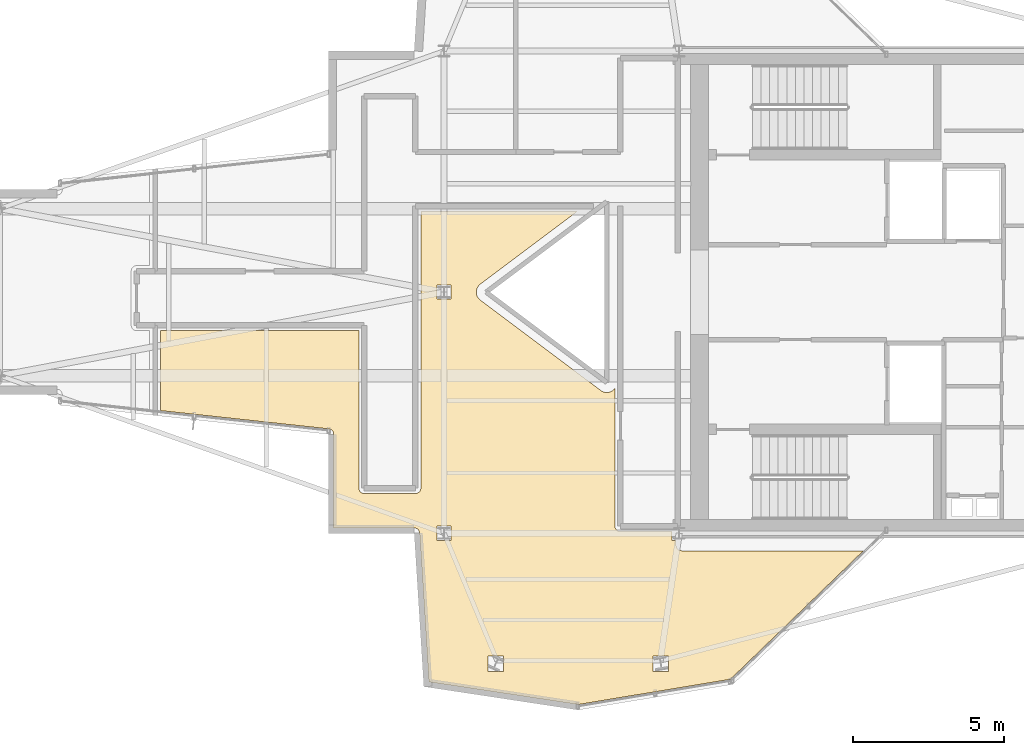
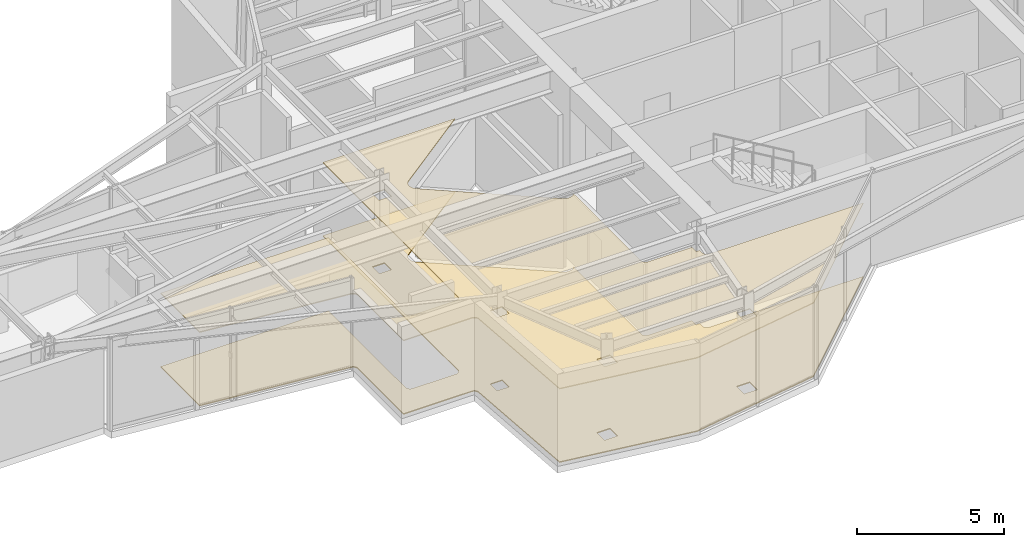
# One storey, part 17 of 18: 2 coverings.
"""IFC4 building model written with IfcOpenShell, lengths in metres."""

import ifcopenshell
import ifcopenshell.guid

model = None  # the IFC model being written
_history = None  # IfcOwnerHistory: only IFC2X3 demands one
_inside = {}  # id of a spatial element -> (the spatial element, [elements in it])
_under = {}  # id of a project, library or spatial element -> (it, [spatial elements below it])
_declared = {}  # id of a project -> (the project, [libraries it declares])
_typed = {}  # id of a type object -> (the type object, [elements of that type])
_made_of = {}  # id of a material, layer set ... -> (it, [elements and type objects made of it])


def new_model(schema):
    """Start an empty IFC model of exactly this schema.

    Asked for "IFC4X3", IfcOpenShell would pick the latest addendum, in which some entities
    have other attributes; the version numbers below select the first issue.
    IFC2X3 requires an IfcOwnerHistory on every rooted entity: one is made here for all.
    """
    global model, _history
    if schema == "IFC4X3":
        model = ifcopenshell.file(schema_version=(4, 3, 0, 0))
    else:
        model = ifcopenshell.file(schema=schema)
    _inside.clear()
    _under.clear()
    _declared.clear()
    _typed.clear()
    _made_of.clear()
    _history = None
    if model.schema == "IFC2X3":
        org = make("IfcOrganization", Name="unknown")
        user = make(
            "IfcPersonAndOrganization",
            ThePerson=make("IfcPerson", FamilyName="unknown"),
            TheOrganization=org,
        )
        app = make(
            "IfcApplication",
            ApplicationDeveloper=org,
            Version="unknown",
            ApplicationFullName="unknown",
            ApplicationIdentifier="unknown",
        )
        _history = make(
            "IfcOwnerHistory",
            OwningUser=user,
            OwningApplication=app,
            ChangeAction="ADDED",
            CreationDate=0,
        )
    return model


def make(cls, **values):
    """One entity of the class cls with the attributes given. An attribute that is None is left unset."""
    return model.create_entity(
        cls, **{name: value for name, value in values.items() if value is not None}
    )


def rooted(cls, **values):
    """An entity with a GlobalId (a new one), such as an element, a storey or a relation."""
    return make(cls, GlobalId=ifcopenshell.guid.new(), OwnerHistory=_history, **values)


def si_unit(unit_type, name, prefix=None):
    """IfcSIUnit, for example si_unit("LENGTHUNIT", "METRE", prefix="MILLI")."""
    return make("IfcSIUnit", UnitType=unit_type, Prefix=prefix, Name=name)


def assignment(units):
    """IfcUnitAssignment: the units of a project."""
    return None if units is None else make("IfcUnitAssignment", Units=units)


def point(xyz):
    """IfcCartesianPoint."""
    return None if xyz is None else make("IfcCartesianPoint", Coordinates=xyz)


def direction(xyz):
    """IfcDirection."""
    return None if xyz is None else make("IfcDirection", DirectionRatios=xyz)


def frame(location, z_axis=None, x_axis=None):
    """IfcAxis2Placement3D, a coordinate frame: its origin and axes. An axis left out is left unset."""
    return make(
        "IfcAxis2Placement3D",
        Location=point(location),
        Axis=direction(z_axis),
        RefDirection=direction(x_axis),
    )


def origin():
    """The frame at (0, 0, 0) with its axes left unset."""
    return frame((0.0, 0.0, 0.0))


def place(relative_to, where):
    """IfcLocalPlacement: puts the frame where relative to a parent placement (None: the world)."""
    return make(
        "IfcLocalPlacement", PlacementRelTo=relative_to, RelativePlacement=where
    )


def context(
    kind, dimensions, precision=None, world=None, true_north=None, identifier=None
):
    """IfcGeometricRepresentationContext, for example the 3D "Model" context."""
    return make(
        "IfcGeometricRepresentationContext",
        ContextIdentifier=identifier,
        ContextType=kind,
        CoordinateSpaceDimension=dimensions,
        Precision=precision,
        WorldCoordinateSystem=world,
        TrueNorth=true_north,
    )


def subcontext(parent, identifier, kind, view, scale=None):
    """IfcGeometricRepresentationSubContext, for example "Body" below "Model"."""
    return make(
        "IfcGeometricRepresentationSubContext",
        ContextIdentifier=identifier,
        ContextType=kind,
        ParentContext=parent,
        TargetScale=scale,
        TargetView=view,
    )


def project(units=None, contexts=None):
    """IfcProject with its units and contexts."""
    return rooted(
        "IfcProject",
        Name="project",
        RepresentationContexts=contexts,
        UnitsInContext=assignment(units),
    )


def spatial(cls, under=None, at=None, **own):
    """A site, building, storey or space (cls), placed at a placement, below another one or the project."""
    s = rooted(cls, ObjectPlacement=at, **own)
    if under is not None:
        _under.setdefault(under.id(), (under, []))[1].append(s)
    return s


def polyline(points):
    """IfcPolyline through the points."""
    return make("IfcPolyline", Points=[point(p) for p in points])


def outline(outer, holes=None, kind="AREA"):
    """IfcArbitraryClosedProfileDef: a profile drawn as a closed curve; with holes, ...WithVoids."""
    if holes is None:
        return make("IfcArbitraryClosedProfileDef", ProfileType=kind, OuterCurve=outer)
    return make(
        "IfcArbitraryProfileDefWithVoids",
        ProfileType=kind,
        OuterCurve=outer,
        InnerCurves=holes,
    )


def extrude(swept, where, along, depth):
    """IfcExtrudedAreaSolid: the profile swept, set in the frame where, extruded along a direction by depth."""
    return make(
        "IfcExtrudedAreaSolid",
        SweptArea=swept,
        Position=where,
        ExtrudedDirection=direction(along),
        Depth=depth,
    )


def shape(context_of_items, identifier, shape_type, items):
    """IfcShapeRepresentation: the items that make up one representation, for example the "Body"."""
    return make(
        "IfcShapeRepresentation",
        ContextOfItems=context_of_items,
        RepresentationIdentifier=identifier,
        RepresentationType=shape_type,
        Items=items,
    )


def material(Name=None, Category=None):
    """IfcMaterial."""
    return make("IfcMaterial", Name=Name, Category=Category)


def layer(
    of_material, thickness, ventilated=None, Name=None, Category=None, Priority=None
):
    """IfcMaterialLayer: one layer of a wall or slab, of a material (None: an air gap)."""
    return make(
        "IfcMaterialLayer",
        Material=of_material,
        LayerThickness=thickness,
        IsVentilated=ventilated,
        Name=Name,
        Category=Category,
        Priority=Priority,
    )


def layer_set(layers, Name=None):
    """IfcMaterialLayerSet."""
    return make("IfcMaterialLayerSet", MaterialLayers=layers, LayerSetName=Name)


def made_of(thing, what):
    """Note that an element or type object is made of a material, layer set ...; save() writes the relation."""
    if what is not None:
        _made_of.setdefault(what.id(), (what, []))[1].append(thing)
    return thing


def type_object(cls, material=None, **own):
    """A type object (cls), such as IfcWallType, which elements share."""
    return made_of(rooted(cls, **own), material)


def element(
    cls,
    number,
    at=None,
    inside=None,
    cuts=None,
    type_object=None,
    material=None,
    context=None,
    identifier="Body",
    shape_type=None,
    held_by="IfcProductDefinitionShape",
    body=None,
    shapes=None,
    **own,
):
    """One element of the class cls, such as IfcWall. Its Tag is "e" and its number.

    at: its placement. inside: the storey or other place that contains it. cuts: it is an
    opening in that element (IfcRelVoidsElement). A single representation is given by context,
    identifier, shape_type and body (its items); several are given by shapes. held_by: the class
    of the entity that holds the representations. save() writes the other relations.
    """
    e = rooted(cls, Tag="e%d" % number, ObjectPlacement=at, **own)
    if body is not None:
        shapes = [shape(context, identifier, shape_type, body)]
    if shapes is not None:
        e.Representation = make(held_by, Representations=shapes)
    if inside is not None:
        _inside.setdefault(inside.id(), (inside, []))[1].append(e)
    if cuts is not None:
        rooted(
            "IfcRelVoidsElement", RelatingBuildingElement=cuts, RelatedOpeningElement=e
        )
    if type_object is not None:
        _typed.setdefault(type_object.id(), (type_object, []))[1].append(e)
    return made_of(e, material)


def aggregate(whole, parts):
    """IfcRelAggregates: a whole, such as a stair, and the parts it consists of."""
    return rooted("IfcRelAggregates", RelatingObject=whole, RelatedObjects=parts)


def save(model, path):
    """Write the relations noted so far, then the file.

    IfcRelAggregates (storeys below a building ...), IfcRelContainedInSpatialStructure (elements
    in a storey), IfcRelDefinesByType, IfcRelAssociatesMaterial and IfcRelDeclares: one each for
    every whole, place, type object, material and project.
    """
    for whole, parts in _under.values():
        aggregate(whole, parts)
    for where, things in _inside.values():
        rooted(
            "IfcRelContainedInSpatialStructure",
            RelatedElements=things,
            RelatingStructure=where,
        )
    for kind, things in _typed.values():
        rooted("IfcRelDefinesByType", RelatedObjects=things, RelatingType=kind)
    for what, things in _made_of.values():
        rooted("IfcRelAssociatesMaterial", RelatedObjects=things, RelatingMaterial=what)
    for by, libraries in _declared.values():
        rooted("IfcRelDeclares", RelatingContext=by, RelatedDefinitions=libraries)
    model.write(path)


model = new_model("IFC4")

# Units and contexts
model_context = context("Model", 3, precision=1e-05, world=origin(), true_north=direction((0.0, 1.0)))
body_context = subcontext(model_context, "Body", "Model", "MODEL_VIEW")
ifc_project = project(units=[si_unit("LENGTHUNIT", "METRE"), si_unit("AREAUNIT", "SQUARE_METRE"), si_unit("VOLUMEUNIT", "CUBIC_METRE"), si_unit("PLANEANGLEUNIT", "RADIAN"), si_unit("MASSUNIT", "GRAM", prefix="KILO")], contexts=[model_context])

# Site, building, storey
site_placement = place(None, origin())
site = spatial("IfcSite", under=ifc_project, at=site_placement, CompositionType="ELEMENT")
building_placement = place(site_placement, origin())
building = spatial("IfcBuilding", under=site, at=building_placement, Name="Veymaron Broadcast Tower", CompositionType="ELEMENT")
storey_placement = place(building_placement, frame((0.0, 0.0, 319.5)))
storey = spatial("IfcBuildingStorey", under=building, at=storey_placement, Name="L75", CompositionType="ELEMENT", Elevation=319.5)

# Coverings
ifc_material_1 = material(Name="Perforated acoustic mineral-fibre ceiling tile", Category="gypsum")
ifc_layer_1 = layer(ifc_material_1, 0.0400390625)
ifc_layer_set_1 = layer_set([ifc_layer_1], Name="Perforated acoustic mineral-fibre ceiling tile")
covering_type_1 = type_object("IfcCoveringType", Name="COV-CEIL-ACT", PredefinedType="CEILING", material=ifc_layer_set_1)
covering_1_placement = place(storey_placement, frame((0.0, 0.0, 3.0400390625)))
element("IfcCovering", 1, at=covering_1_placement, inside=storey, type_object=covering_type_1, Name="L75 suspended acoustic ceiling 1", PredefinedType="CEILING", context=body_context, shape_type="SweptSolid", body=[
    extrude(outline(polyline([(30.244384765625, 16.176513671875), (30.2265625, 16.17919921875), (30.20849609375, 16.179931640625), (27.538330078125, 16.179931640625), (27.538330078125, 19.284423828125), (27.53759765625, 19.302001953125), (27.534912109375, 19.3193359375), (27.53076171875, 19.33642578125), (27.52490234375, 19.352783203125), (27.517333984375, 19.368896484375), (27.508544921875, 19.3837890625), (27.498046875, 19.398193359375), (27.486328125, 19.4111328125), (27.473388671875, 19.423095703125), (27.45947265625, 19.43359375), (27.4443359375, 19.442626953125), (27.4287109375, 19.4501953125), (27.412109375, 19.456298828125), (27.39501953125, 19.460693359375), (27.377685546875, 19.46337890625), (21.7939453125, 20.06884765625), (21.7939453125, 22.719970703125), (28.3701171875, 22.719970703125), (28.3701171875, 17.5), (28.370849609375, 17.482421875), (28.37353515625, 17.46484375), (28.377685546875, 17.44775390625), (28.3837890625, 17.43115234375), (28.391357421875, 17.4150390625), (28.400390625, 17.39990234375), (28.410888671875, 17.3857421875), (28.422607421875, 17.372802734375), (28.435791015625, 17.36083984375), (28.449951171875, 17.350341796875), (28.465087890625, 17.34130859375), (28.481201171875, 17.333740234375), (28.497802734375, 17.327880859375), (28.514892578125, 17.323486328125), (28.532470703125, 17.32080078125), (28.550048828125, 17.320068359375), (30.25, 17.320068359375), (30.267578125, 17.32080078125), (30.28515625, 17.323486328125), (30.30224609375, 17.327880859375), (30.31884765625, 17.333740234375), (30.3349609375, 17.34130859375), (30.35009765625, 17.350341796875), (30.3642578125, 17.36083984375), (30.377197265625, 17.372802734375), (30.38916015625, 17.3857421875), (30.399658203125, 17.39990234375), (30.40869140625, 17.4150390625), (30.416259765625, 17.43115234375), (30.422119140625, 17.44775390625), (30.426513671875, 17.46484375), (30.42919921875, 17.482421875), (30.429931640625, 17.5), (30.429931640625, 26.669921875), (35.610107421875, 26.669921875), (32.402099609375, 24.263916015625), (32.39501953125, 24.258544921875), (32.3837890625, 24.249267578125), (32.370849609375, 24.2373046875), (32.360595703125, 24.22705078125), (32.348876953125, 24.2138671875), (32.339599609375, 24.20263671875), (32.3291015625, 24.1884765625), (32.321044921875, 24.17626953125), (32.31201171875, 24.1611328125), (32.305419921875, 24.148193359375), (32.2978515625, 24.13232421875), (32.292236328125, 24.118896484375), (32.286376953125, 24.102294921875), (32.281982421875, 24.088134765625), (32.27783203125, 24.0712890625), (32.27490234375, 24.056884765625), (32.2724609375, 24.039306640625), (32.27099609375, 24.02490234375), (32.270263671875, 24.00732421875), (32.270263671875, 23.99267578125), (32.27099609375, 23.97509765625), (32.2724609375, 23.960693359375), (32.27490234375, 23.943115234375), (32.27783203125, 23.9287109375), (32.281982421875, 23.911865234375), (32.286376953125, 23.897705078125), (32.292236328125, 23.881103515625), (32.2978515625, 23.86767578125), (32.305419921875, 23.851806640625), (32.31201171875, 23.8388671875), (32.321044921875, 23.82373046875), (32.3291015625, 23.8115234375), (32.339599609375, 23.79736328125), (32.348876953125, 23.7861328125), (32.360595703125, 23.77294921875), (32.370849609375, 23.7626953125), (32.3837890625, 23.750732421875), (32.39501953125, 23.741455078125), (32.402099609375, 23.736083984375), (36.402099609375, 20.736083984375), (36.4091796875, 20.73095703125), (36.4208984375, 20.722900390625), (36.435791015625, 20.7138671875), (36.448486328125, 20.70703125), (36.464111328125, 20.699462890625), (36.477294921875, 20.693603515625), (36.49365234375, 20.687744140625), (36.50732421875, 20.683349609375), (36.524169921875, 20.678955078125), (36.5380859375, 20.67578125), (36.555419921875, 20.673095703125), (36.569580078125, 20.67138671875), (36.5869140625, 20.67041015625), (36.601318359375, 20.670166015625), (36.61865234375, 20.670654296875), (36.633056640625, 20.671875), (36.650390625, 20.673828125), (36.66455078125, 20.676513671875), (36.681396484375, 20.680419921875), (36.6953125, 20.68408203125), (36.711669921875, 20.689697265625), (36.72509765625, 20.69482421875), (36.740966796875, 20.701904296875), (36.75390625, 20.708251953125), (36.76904296875, 20.716796875), (36.78125, 20.724365234375), (36.79541015625, 20.734375), (36.806884765625, 20.7431640625), (36.820068359375, 20.75439453125), (36.830810546875, 20.76416015625), (36.8427734375, 20.776611328125), (36.852294921875, 20.787353515625), (36.863037109375, 20.801025390625), (36.8701171875, 20.810546875), (36.8701171875, 16.235107421875), (36.870849609375, 16.217529296875), (36.87353515625, 16.2001953125), (36.877685546875, 16.182861328125), (36.8837890625, 16.166259765625), (36.891357421875, 16.150390625), (36.900390625, 16.13525390625), (36.910888671875, 16.12109375), (36.922607421875, 16.10791015625), (36.935791015625, 16.09619140625), (36.949951171875, 16.08544921875), (36.965087890625, 16.076416015625), (36.981201171875, 16.06884765625), (36.997802734375, 16.06298828125), (37.014892578125, 16.05859375), (37.032470703125, 16.05615234375), (37.050048828125, 16.05517578125), (38.763427734375, 16.05517578125), (38.763427734375, 15.76611328125), (38.89990234375, 15.76611328125), (38.89990234375, 15.60009765625), (38.90087890625, 15.58251953125), (38.903564453125, 15.56494140625), (38.90771484375, 15.547607421875), (38.913818359375, 15.531005859375), (38.92138671875, 15.51513671875), (38.930419921875, 15.5), (38.94091796875, 15.48583984375), (38.95263671875, 15.47265625), (38.9658203125, 15.4609375), (38.97998046875, 15.4501953125), (38.9951171875, 15.44140625), (39.010986328125, 15.43359375), (39.027587890625, 15.427734375), (39.044921875, 15.423583984375), (39.0625, 15.4208984375), (39.080078125, 15.419921875), (45.11279296875, 15.419921875), (40.70166015625, 11.1572265625), (35.655517578125, 10.3173828125), (30.69775390625, 11.0673828125), (30.38818359375, 16.01123046875), (30.385986328125, 16.029296875), (30.38232421875, 16.046875), (30.376708984375, 16.064208984375), (30.369384765625, 16.080810546875), (30.360595703125, 16.096435546875), (30.35009765625, 16.111083984375), (30.338134765625, 16.124755859375), (30.324951171875, 16.13720703125), (30.310546875, 16.148193359375), (30.295166015625, 16.15771484375), (30.279052734375, 16.16552734375), (30.261962890625, 16.171875), (30.244384765625, 16.176513671875)]), holes=[polyline([(38.64111328125, 11.929931640625), (38.135009765625, 11.929931640625), (38.135009765625, 11.4140625), (38.64111328125, 11.4140625), (38.64111328125, 11.929931640625)]), polyline([(32.66064453125, 11.929931640625), (32.66064453125, 11.4140625), (33.16650390625, 11.4140625), (33.16650390625, 11.929931640625), (32.66064453125, 11.929931640625)]), polyline([(30.96337890625, 16.23388671875), (30.96337890625, 15.76611328125), (31.4365234375, 15.76611328125), (31.4365234375, 16.23388671875), (30.96337890625, 16.23388671875)]), polyline([(31.4365234375, 24.23388671875), (30.96337890625, 24.23388671875), (30.96337890625, 23.76611328125), (31.4365234375, 23.76611328125), (31.4365234375, 24.23388671875)])]), origin(), (0.0, 0.0, 1.0), 0.0400390625),
])
ifc_material_2 = material(Name="galvanized steel raised access floor panel", Category="steel")
ifc_layer_2 = layer(ifc_material_2, 0.0400390625)
ifc_layer_set_2 = layer_set([ifc_layer_2], Name="galvanized steel raised access floor panel")
covering_type_2 = type_object("IfcCoveringType", Name="COV-FLR-RAF", PredefinedType="FLOORING", material=ifc_layer_set_2)
covering_2_placement = place(storey_placement, origin())
element("IfcCovering", 2, at=covering_2_placement, inside=storey, type_object=covering_type_2, Name="L75 finished flooring 1", PredefinedType="FLOORING", context=body_context, shape_type="SweptSolid", body=[
    extrude(outline(polyline([(30.244384765625, 16.176513671875), (30.2265625, 16.17919921875), (30.20849609375, 16.179931640625), (27.538330078125, 16.179931640625), (27.538330078125, 19.284423828125), (27.53759765625, 19.302001953125), (27.534912109375, 19.3193359375), (27.53076171875, 19.33642578125), (27.52490234375, 19.352783203125), (27.517333984375, 19.368896484375), (27.508544921875, 19.3837890625), (27.498046875, 19.398193359375), (27.486328125, 19.4111328125), (27.473388671875, 19.423095703125), (27.45947265625, 19.43359375), (27.4443359375, 19.442626953125), (27.4287109375, 19.4501953125), (27.412109375, 19.456298828125), (27.39501953125, 19.460693359375), (27.377685546875, 19.46337890625), (21.7939453125, 20.06884765625), (21.7939453125, 22.719970703125), (28.3701171875, 22.719970703125), (28.3701171875, 17.5), (28.370849609375, 17.482421875), (28.37353515625, 17.46484375), (28.377685546875, 17.44775390625), (28.3837890625, 17.43115234375), (28.391357421875, 17.4150390625), (28.400390625, 17.39990234375), (28.410888671875, 17.3857421875), (28.422607421875, 17.372802734375), (28.435791015625, 17.36083984375), (28.449951171875, 17.350341796875), (28.465087890625, 17.34130859375), (28.481201171875, 17.333740234375), (28.497802734375, 17.327880859375), (28.514892578125, 17.323486328125), (28.532470703125, 17.32080078125), (28.550048828125, 17.320068359375), (30.25, 17.320068359375), (30.267578125, 17.32080078125), (30.28515625, 17.323486328125), (30.30224609375, 17.327880859375), (30.31884765625, 17.333740234375), (30.3349609375, 17.34130859375), (30.35009765625, 17.350341796875), (30.3642578125, 17.36083984375), (30.377197265625, 17.372802734375), (30.38916015625, 17.3857421875), (30.399658203125, 17.39990234375), (30.40869140625, 17.4150390625), (30.416259765625, 17.43115234375), (30.422119140625, 17.44775390625), (30.426513671875, 17.46484375), (30.42919921875, 17.482421875), (30.429931640625, 17.5), (30.429931640625, 26.669921875), (35.610107421875, 26.669921875), (32.402099609375, 24.263916015625), (32.39501953125, 24.258544921875), (32.3837890625, 24.249267578125), (32.370849609375, 24.2373046875), (32.360595703125, 24.22705078125), (32.348876953125, 24.2138671875), (32.339599609375, 24.20263671875), (32.3291015625, 24.1884765625), (32.321044921875, 24.17626953125), (32.31201171875, 24.1611328125), (32.305419921875, 24.148193359375), (32.2978515625, 24.13232421875), (32.292236328125, 24.118896484375), (32.286376953125, 24.102294921875), (32.281982421875, 24.088134765625), (32.27783203125, 24.0712890625), (32.27490234375, 24.056884765625), (32.2724609375, 24.039306640625), (32.27099609375, 24.02490234375), (32.270263671875, 24.00732421875), (32.270263671875, 23.99267578125), (32.27099609375, 23.97509765625), (32.2724609375, 23.960693359375), (32.27490234375, 23.943115234375), (32.27783203125, 23.9287109375), (32.281982421875, 23.911865234375), (32.286376953125, 23.897705078125), (32.292236328125, 23.881103515625), (32.2978515625, 23.86767578125), (32.305419921875, 23.851806640625), (32.31201171875, 23.8388671875), (32.321044921875, 23.82373046875), (32.3291015625, 23.8115234375), (32.339599609375, 23.79736328125), (32.348876953125, 23.7861328125), (32.360595703125, 23.77294921875), (32.370849609375, 23.7626953125), (32.3837890625, 23.750732421875), (32.39501953125, 23.741455078125), (32.402099609375, 23.736083984375), (36.402099609375, 20.736083984375), (36.4091796875, 20.73095703125), (36.4208984375, 20.722900390625), (36.435791015625, 20.7138671875), (36.448486328125, 20.70703125), (36.464111328125, 20.699462890625), (36.477294921875, 20.693603515625), (36.49365234375, 20.687744140625), (36.50732421875, 20.683349609375), (36.524169921875, 20.678955078125), (36.5380859375, 20.67578125), (36.555419921875, 20.673095703125), (36.569580078125, 20.67138671875), (36.5869140625, 20.67041015625), (36.601318359375, 20.670166015625), (36.61865234375, 20.670654296875), (36.633056640625, 20.671875), (36.650390625, 20.673828125), (36.66455078125, 20.676513671875), (36.681396484375, 20.680419921875), (36.6953125, 20.68408203125), (36.711669921875, 20.689697265625), (36.72509765625, 20.69482421875), (36.740966796875, 20.701904296875), (36.75390625, 20.708251953125), (36.76904296875, 20.716796875), (36.78125, 20.724365234375), (36.79541015625, 20.734375), (36.806884765625, 20.7431640625), (36.820068359375, 20.75439453125), (36.830810546875, 20.76416015625), (36.8427734375, 20.776611328125), (36.852294921875, 20.787353515625), (36.863037109375, 20.801025390625), (36.8701171875, 20.810546875), (36.8701171875, 16.235107421875), (36.870849609375, 16.217529296875), (36.87353515625, 16.2001953125), (36.877685546875, 16.182861328125), (36.8837890625, 16.166259765625), (36.891357421875, 16.150390625), (36.900390625, 16.13525390625), (36.910888671875, 16.12109375), (36.922607421875, 16.10791015625), (36.935791015625, 16.09619140625), (36.949951171875, 16.08544921875), (36.965087890625, 16.076416015625), (36.981201171875, 16.06884765625), (36.997802734375, 16.06298828125), (37.014892578125, 16.05859375), (37.032470703125, 16.05615234375), (37.050048828125, 16.05517578125), (38.763427734375, 16.05517578125), (38.763427734375, 15.76611328125), (38.89990234375, 15.76611328125), (38.89990234375, 15.60009765625), (38.90087890625, 15.58251953125), (38.903564453125, 15.56494140625), (38.90771484375, 15.547607421875), (38.913818359375, 15.531005859375), (38.92138671875, 15.51513671875), (38.930419921875, 15.5), (38.94091796875, 15.48583984375), (38.95263671875, 15.47265625), (38.9658203125, 15.4609375), (38.97998046875, 15.4501953125), (38.9951171875, 15.44140625), (39.010986328125, 15.43359375), (39.027587890625, 15.427734375), (39.044921875, 15.423583984375), (39.0625, 15.4208984375), (39.080078125, 15.419921875), (45.11279296875, 15.419921875), (40.70166015625, 11.1572265625), (35.655517578125, 10.3173828125), (30.69775390625, 11.0673828125), (30.38818359375, 16.01123046875), (30.385986328125, 16.029296875), (30.38232421875, 16.046875), (30.376708984375, 16.064208984375), (30.369384765625, 16.080810546875), (30.360595703125, 16.096435546875), (30.35009765625, 16.111083984375), (30.338134765625, 16.124755859375), (30.324951171875, 16.13720703125), (30.310546875, 16.148193359375), (30.295166015625, 16.15771484375), (30.279052734375, 16.16552734375), (30.261962890625, 16.171875), (30.244384765625, 16.176513671875)]), holes=[polyline([(38.64111328125, 11.929931640625), (38.135009765625, 11.929931640625), (38.135009765625, 11.4140625), (38.64111328125, 11.4140625), (38.64111328125, 11.929931640625)]), polyline([(32.66064453125, 11.929931640625), (32.66064453125, 11.4140625), (33.16650390625, 11.4140625), (33.16650390625, 11.929931640625), (32.66064453125, 11.929931640625)]), polyline([(30.96337890625, 16.23388671875), (30.96337890625, 15.76611328125), (31.4365234375, 15.76611328125), (31.4365234375, 16.23388671875), (30.96337890625, 16.23388671875)]), polyline([(31.4365234375, 24.23388671875), (30.96337890625, 24.23388671875), (30.96337890625, 23.76611328125), (31.4365234375, 23.76611328125), (31.4365234375, 24.23388671875)])]), origin(), (0.0, 0.0, 1.0), 0.0400390625),
])

save(model, "model.ifc")
